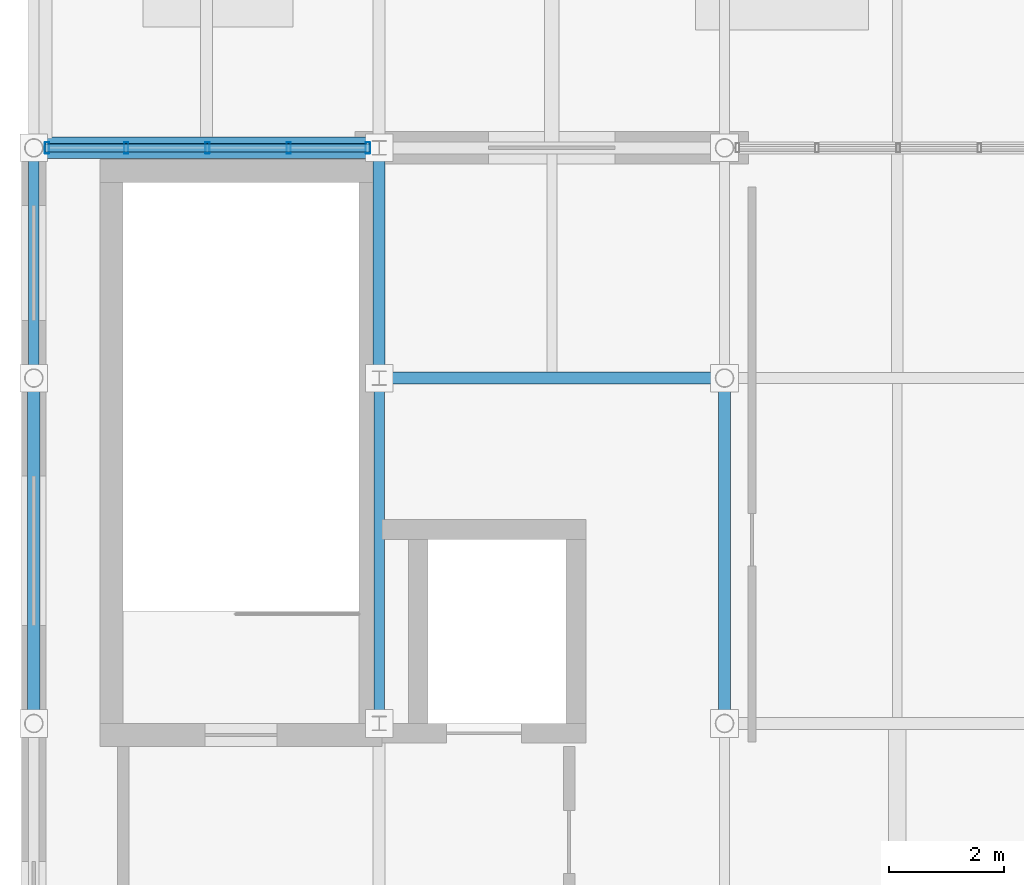
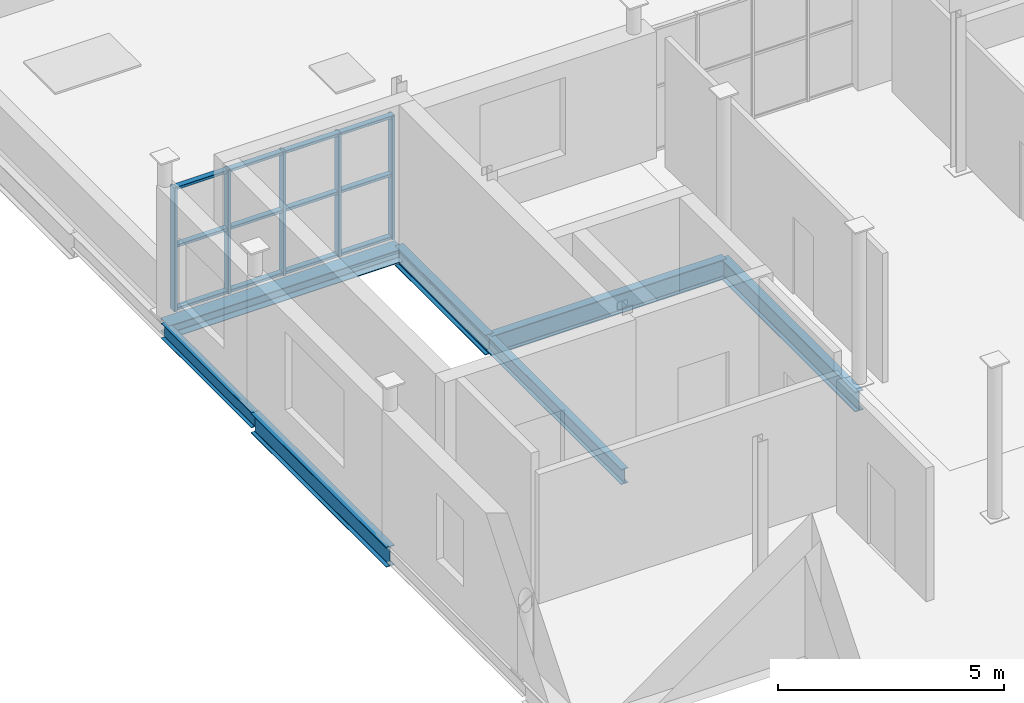
# One storey, part 15 of 27: 8 members, 7 beams, 1 element without a shape of its own.
"""IFC4 building model written with IfcOpenShell, lengths in metres."""

from ifc_helpers import new_model, si_unit, direction, frame, origin, origin_2d, place, context, subcontext, project, spatial, hollow_rectangle, i_section, extrude, material, material_profile, profile_set, type_object, element, aggregate, save


model = new_model("IFC4")

# Units and contexts
model_context = context("Model", 3, precision=1e-05, world=origin(), true_north=direction((0.0, 1.0)))
body_context = subcontext(model_context, "Body", "Model", "MODEL_VIEW")
ifc_project = project(units=[si_unit("LENGTHUNIT", "METRE"), si_unit("AREAUNIT", "SQUARE_METRE"), si_unit("VOLUMEUNIT", "CUBIC_METRE"), si_unit("PLANEANGLEUNIT", "RADIAN"), si_unit("MASSUNIT", "GRAM", prefix="KILO")], contexts=[model_context])

# Site, building, storey
site_placement = place(None, origin())
site = spatial("IfcSite", under=ifc_project, at=site_placement, CompositionType="ELEMENT")
building_placement = place(site_placement, origin())
building = spatial("IfcBuilding", under=site, at=building_placement, Name="Verrall Gate Interchange", CompositionType="ELEMENT")
storey_placement = place(building_placement, frame((0.0, 0.0, 28.60009765625)))
storey = spatial("IfcBuildingStorey", under=building, at=storey_placement, Name="L07", CompositionType="ELEMENT", Elevation=28.60009765625)

# Beams
ifc_material_1 = material(Name="Structural Steel CSA G40.21 350W", Category="steel")
ifc_material_profile_1 = material_profile(ifc_material_1, i_section(OverallWidth=0.2109375, OverallDepth=0.5390625, WebThickness=0.01171875, FlangeThickness=0.018798828125, FilletRadius=0.013916015625, at=origin_2d()), Name="W530x109")
ifc_profile_set_1 = profile_set([ifc_material_profile_1], Name="Structural Steel CSA G40.21 350W")
beam_type_1 = type_object("IfcBeamType", Name="B-10 Structural Beam W530x109", PredefinedType="BEAM", material=ifc_profile_set_1)
for number, where, z_axis, x_axis, name in (
    (1, (12.0, 40.0, -0.529541015625), (1.0, 0.0, 0.0), (0.0, 1.0, 0.0), "L07 Girder BM-L07-3247 (B-10)"),
    (2, (6.0, 34.0, -0.529541015625), (0.0, 1.0, 0.0), (-1.0, 0.0, 0.0), "L07 Girder BM-L07-3269 (B-10)"),
):
    element("IfcBeam", number, at=place(storey_placement, frame(where, z_axis=z_axis, x_axis=x_axis)), inside=storey, type_object=beam_type_1, Name=name, PredefinedType="BEAM", context=body_context, shape_type="SweptSolid", body=[
        extrude(i_section(OverallWidth=0.2109375, OverallDepth=0.5390625, WebThickness=0.01171875, FlangeThickness=0.018798828125, FilletRadius=0.013916015625, at=origin_2d()), origin(), (0.0, 0.0, 1.0), 6.0),
    ])
beam_1_placement = place(storey_placement, frame((12.0, 40.0, -0.529541015625), z_axis=(0.0, 1.0, 0.0), x_axis=(-1.0, 0.0, 0.0)))
element("IfcBeam", 3, at=beam_1_placement, inside=storey, type_object=beam_type_1, Name="L07 Girder BM-L07-3279 (B-10)", PredefinedType="BEAM", context=body_context, shape_type="SweptSolid", body=[
    extrude(i_section(OverallWidth=0.2109375, OverallDepth=0.5390625, WebThickness=0.01171875, FlangeThickness=0.018798828125, FilletRadius=0.013916015625, at=origin_2d()), origin(), (0.0, 0.0, 1.0), 4.0),
])
beam_2_placement = place(storey_placement, frame((18.0, 34.0, -0.529541015625), z_axis=(0.0, 1.0, 0.0), x_axis=(-1.0, 0.0, 0.0)))
element("IfcBeam", 4, at=beam_2_placement, inside=storey, type_object=beam_type_1, Name="L07 Girder BM-L07-3287 (B-10)", PredefinedType="BEAM", context=body_context, shape_type="SweptSolid", body=[
    extrude(i_section(OverallWidth=0.2109375, OverallDepth=0.5390625, WebThickness=0.01171875, FlangeThickness=0.018798828125, FilletRadius=0.013916015625, at=origin_2d()), origin(), (0.0, 0.0, 1.0), 6.0),
])
ifc_material_2 = material(Name="Structural Steel CSA G40.21 350W", Category="steel")
ifc_material_profile_2 = material_profile(ifc_material_2, i_section(OverallWidth=0.178955078125, OverallDepth=0.409912109375, WebThickness=0.0087890625, FlangeThickness=0.014404296875, FilletRadius=0.011962890625, at=origin_2d()), Name="W410x67")
ifc_profile_set_2 = profile_set([ifc_material_profile_2], Name="Structural Steel CSA G40.21 350W")
beam_type_2 = type_object("IfcBeamType", Name="B-12 Structural Beam W410x67", PredefinedType="BEAM", material=ifc_profile_set_2)
beam_3_placement = place(storey_placement, frame((6.0, 40.0, -0.465087890625), z_axis=(0.0, 1.0, 0.0), x_axis=(-1.0, 0.0, 0.0)))
element("IfcBeam", 5, at=beam_3_placement, inside=storey, type_object=beam_type_2, Name="L07 Girder BM-L07-3270 (B-12)", PredefinedType="BEAM", context=body_context, shape_type="SweptSolid", body=[
    extrude(i_section(OverallWidth=0.178955078125, OverallDepth=0.409912109375, WebThickness=0.0087890625, FlangeThickness=0.014404296875, FilletRadius=0.011962890625, at=origin_2d()), origin(), (0.0, 0.0, 1.0), 4.0),
])
beam_4_placement = place(storey_placement, frame((12.0, 34.0, -0.465087890625), z_axis=(0.0, 1.0, 0.0), x_axis=(-1.0, 0.0, 0.0)))
element("IfcBeam", 6, at=beam_4_placement, inside=storey, type_object=beam_type_2, Name="L07 Girder BM-L07-3278 (B-12)", PredefinedType="BEAM", context=body_context, shape_type="SweptSolid", body=[
    extrude(i_section(OverallWidth=0.178955078125, OverallDepth=0.409912109375, WebThickness=0.0087890625, FlangeThickness=0.014404296875, FilletRadius=0.011962890625, at=origin_2d()), origin(), (0.0, 0.0, 1.0), 6.0),
])
ifc_material_3 = material(Name="Structural Steel CSA G40.21 350W", Category="steel")
ifc_material_profile_3 = material_profile(ifc_material_3, i_section(OverallWidth=0.368896484375, OverallDepth=0.35595703125, WebThickness=0.01123046875, FlangeThickness=0.01806640625, FilletRadius=0.014892578125, at=origin_2d()), Name="W360x134")
ifc_profile_set_3 = profile_set([ifc_material_profile_3], Name="Structural Steel CSA G40.21 350W")
beam_type_3 = type_object("IfcBeamType", Name="B-13 Structural Beam W360x134", PredefinedType="BEAM", material=ifc_profile_set_3)
beam_5_placement = place(storey_placement, frame((6.0, 44.0, -0.43798828125), z_axis=(1.0, 0.0, 0.0), x_axis=(0.0, 1.0, 0.0)))
element("IfcBeam", 7, at=beam_5_placement, inside=storey, type_object=beam_type_3, Name="L07 Girder BM-L07-3251 (B-13)", PredefinedType="BEAM", context=body_context, shape_type="SweptSolid", body=[
    extrude(i_section(OverallWidth=0.368896484375, OverallDepth=0.35595703125, WebThickness=0.01123046875, FlangeThickness=0.01806640625, FilletRadius=0.014892578125, at=origin_2d()), origin(), (0.0, 0.0, 1.0), 6.0),
])

# Curtain wall, members
ifc_material_4 = material(Name="Thermally Broken Anodized Aluminium Curtain Wall Framing", Category="aluminium")
curtain_wall_type = type_object("IfcCurtainWallType", Name="CW-43 Unitized Curtain Wall 5612x3310", PredefinedType="NOTDEFINED", material=ifc_material_4)
curtain_wall_placement = place(storey_placement, origin())
curtain_wall = element("IfcCurtainWall", 8, at=curtain_wall_placement, inside=storey, type_object=curtain_wall_type, Name="L07 Unitized Curtain Wall CW-L07-163", PredefinedType="NOTDEFINED")
ifc_material_5 = material(Name="Thermally Broken Anodized Aluminium Curtain Wall Framing", Category="aluminium")
ifc_material_profile_4 = material_profile(ifc_material_5, hollow_rectangle(XDim=0.074951171875, YDim=0.199951171875, WallThickness=0.0048828125, InnerFilletRadius=0.0048828125, OuterFilletRadius=0.010009765625, at=origin_2d()), Name="CWM200x75x5")
ifc_profile_set_4 = profile_set([ifc_material_profile_4], Name="Thermally Broken Anodized Aluminium Curtain Wall Framing")
member_type_1 = type_object("IfcMemberType", Name="CM-02 Curtain Mullion CWM200x75x5", PredefinedType="MULLION", material=ifc_profile_set_4)
member_1_placement = place(storey_placement, frame((11.803466796875, 44.0, 0.0), z_axis=(0.0, 0.0, 1.0), x_axis=(-1.0, 0.0, 0.0)))
member_1 = element("IfcMember", 9, at=member_1_placement, type_object=member_type_1, Name="CW-L07-163 Mullion 1", PredefinedType="MULLION", context=body_context, shape_type="SweptSolid", body=[
    extrude(hollow_rectangle(XDim=0.074951171875, YDim=0.199951171875, WallThickness=0.0048828125, InnerFilletRadius=0.0048828125, OuterFilletRadius=0.010009765625, at=origin_2d()), origin(), (0.0, 0.0, 1.0), 3.33984375),
])
member_2_placement = place(storey_placement, frame((10.42919921875, 44.0, 0.0), z_axis=(0.0, 0.0, 1.0), x_axis=(-1.0, 0.0, 0.0)))
member_2 = element("IfcMember", 10, at=member_2_placement, type_object=member_type_1, Name="CW-L07-163 Mullion 2", PredefinedType="MULLION", context=body_context, shape_type="SweptSolid", body=[
    extrude(hollow_rectangle(XDim=0.074951171875, YDim=0.199951171875, WallThickness=0.0048828125, InnerFilletRadius=0.0048828125, OuterFilletRadius=0.010009765625, at=origin_2d()), origin(), (0.0, 0.0, 1.0), 3.33984375),
])
member_3_placement = place(storey_placement, frame((9.017333984375, 44.0, 0.0), z_axis=(0.0, 0.0, 1.0), x_axis=(-1.0, 0.0, 0.0)))
member_3 = element("IfcMember", 11, at=member_3_placement, type_object=member_type_1, Name="CW-L07-163 Mullion 3", PredefinedType="MULLION", context=body_context, shape_type="SweptSolid", body=[
    extrude(hollow_rectangle(XDim=0.074951171875, YDim=0.199951171875, WallThickness=0.0048828125, InnerFilletRadius=0.0048828125, OuterFilletRadius=0.010009765625, at=origin_2d()), origin(), (0.0, 0.0, 1.0), 3.33984375),
])
member_4_placement = place(storey_placement, frame((7.605712890625, 44.0, 0.0), z_axis=(0.0, 0.0, 1.0), x_axis=(-1.0, 0.0, 0.0)))
member_4 = element("IfcMember", 12, at=member_4_placement, type_object=member_type_1, Name="CW-L07-163 Mullion 4", PredefinedType="MULLION", context=body_context, shape_type="SweptSolid", body=[
    extrude(hollow_rectangle(XDim=0.074951171875, YDim=0.199951171875, WallThickness=0.0048828125, InnerFilletRadius=0.0048828125, OuterFilletRadius=0.010009765625, at=origin_2d()), origin(), (0.0, 0.0, 1.0), 3.33984375),
])
member_5_placement = place(storey_placement, frame((6.2314453125, 44.0, 0.0), z_axis=(0.0, 0.0, 1.0), x_axis=(-1.0, 0.0, 0.0)))
member_5 = element("IfcMember", 13, at=member_5_placement, type_object=member_type_1, Name="CW-L07-163 Mullion 5", PredefinedType="MULLION", context=body_context, shape_type="SweptSolid", body=[
    extrude(hollow_rectangle(XDim=0.074951171875, YDim=0.199951171875, WallThickness=0.0048828125, InnerFilletRadius=0.0048828125, OuterFilletRadius=0.010009765625, at=origin_2d()), origin(), (0.0, 0.0, 1.0), 3.33984375),
])
ifc_material_6 = material(Name="Thermally Broken Anodized Aluminium Curtain Wall Framing", Category="aluminium")
ifc_material_profile_5 = material_profile(ifc_material_6, hollow_rectangle(XDim=0.14990234375, YDim=0.074951171875, WallThickness=0.00439453125, InnerFilletRadius=0.00439453125, OuterFilletRadius=0.009033203125, at=origin_2d()), Name="CWT150x75x4.5")
ifc_profile_set_5 = profile_set([ifc_material_profile_5], Name="Thermally Broken Anodized Aluminium Curtain Wall Framing")
member_type_2 = type_object("IfcMemberType", Name="CT-02 Curtain Transom CWT150x75x4.5", PredefinedType="USERDEFINED", material=ifc_profile_set_5)
member_6_placement = place(storey_placement, frame((11.841064453125, 44.0, 0.037353515625), z_axis=(-1.0, 0.0, 0.0), x_axis=(0.0, -1.0, 0.0)))
member_6 = element("IfcMember", 14, at=member_6_placement, type_object=member_type_2, Name="CW-L07-163 Transom 1", ObjectType="TRANSOM", PredefinedType="USERDEFINED", context=body_context, shape_type="SweptSolid", body=[
    extrude(hollow_rectangle(XDim=0.14990234375, YDim=0.074951171875, WallThickness=0.00439453125, InnerFilletRadius=0.00439453125, OuterFilletRadius=0.009033203125, at=origin_2d()), origin(), (0.0, 0.0, 1.0), 5.647216796875),
])
member_7_placement = place(storey_placement, frame((11.841064453125, 44.0, 1.73681640625), z_axis=(-1.0, 0.0, 0.0), x_axis=(0.0, -1.0, 0.0)))
member_7 = element("IfcMember", 15, at=member_7_placement, type_object=member_type_2, Name="CW-L07-163 Transom 2", ObjectType="TRANSOM", PredefinedType="USERDEFINED", context=body_context, shape_type="SweptSolid", body=[
    extrude(hollow_rectangle(XDim=0.14990234375, YDim=0.074951171875, WallThickness=0.00439453125, InnerFilletRadius=0.00439453125, OuterFilletRadius=0.009033203125, at=origin_2d()), origin(), (0.0, 0.0, 1.0), 5.647216796875),
])
member_8_placement = place(storey_placement, frame((11.841064453125, 44.0, 3.302490234375), z_axis=(-1.0, 0.0, 0.0), x_axis=(0.0, -1.0, 0.0)))
member_8 = element("IfcMember", 16, at=member_8_placement, type_object=member_type_2, Name="CW-L07-163 Transom 3", ObjectType="TRANSOM", PredefinedType="USERDEFINED", context=body_context, shape_type="SweptSolid", body=[
    extrude(hollow_rectangle(XDim=0.14990234375, YDim=0.074951171875, WallThickness=0.00439453125, InnerFilletRadius=0.00439453125, OuterFilletRadius=0.009033203125, at=origin_2d()), origin(), (0.0, 0.0, 1.0), 5.647216796875),
])
aggregate(curtain_wall, [member_1, member_2, member_3, member_4, member_5, member_6, member_7, member_8])

save(model, "model.ifc")
